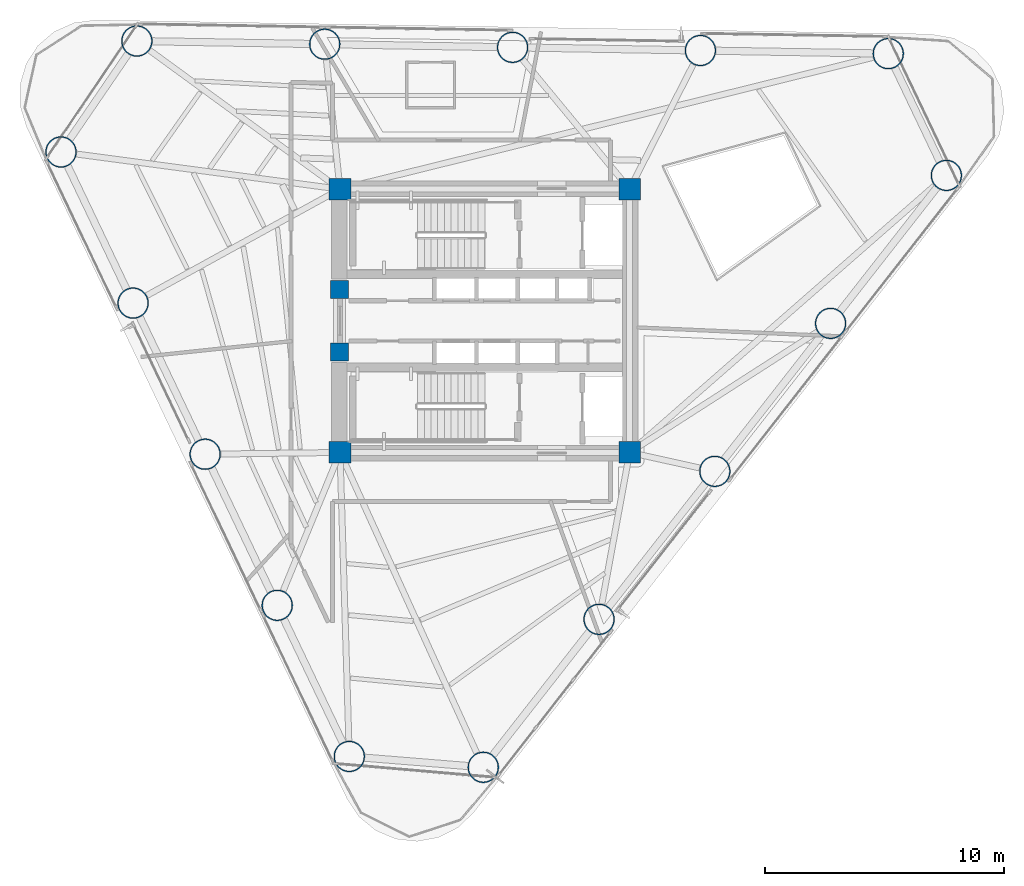
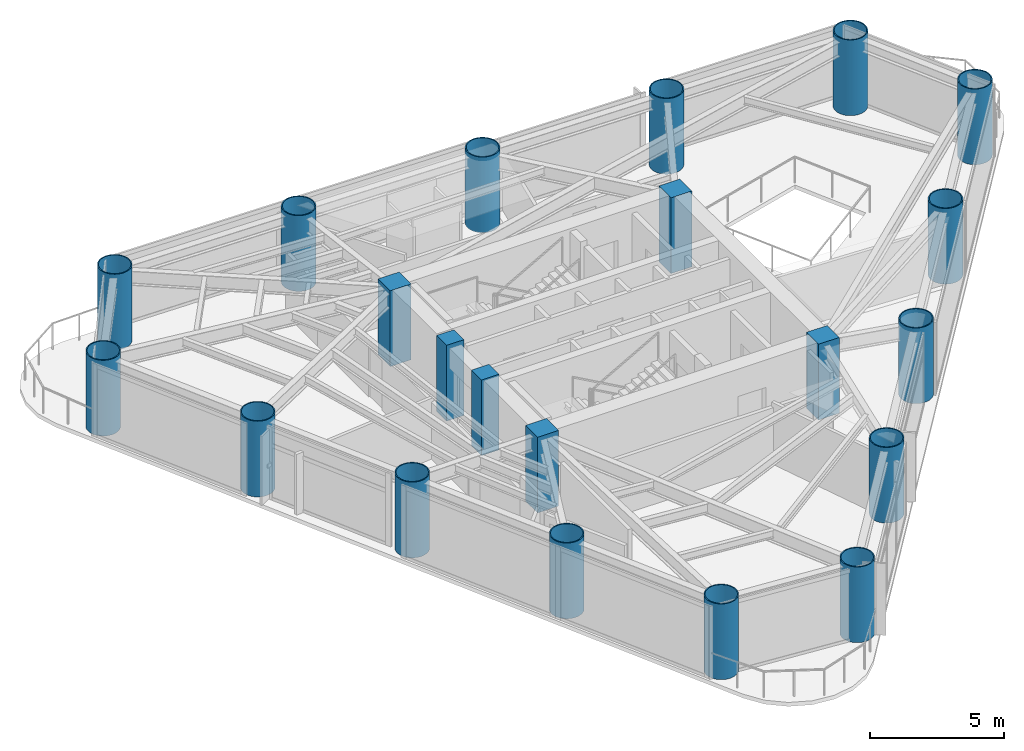
# One storey, part 1 of 10: 21 columns.
"""IFC4 building model written with IfcOpenShell, lengths in metres."""

from ifc_helpers import new_model, si_unit, direction, frame, origin, origin_2d, place, context, subcontext, project, spatial, rectangle, hollow_circle, extrude, source, transform, mapped, material, material_profile, profile_set, type_object, element, save


model = new_model("IFC4")

# Units and contexts
model_context = context("Model", 3, precision=1e-05, world=origin(), true_north=direction((0.0, 1.0)))
body_context = subcontext(model_context, "Body", "Model", "MODEL_VIEW")
ifc_project = project(units=[si_unit("LENGTHUNIT", "METRE"), si_unit("AREAUNIT", "SQUARE_METRE"), si_unit("VOLUMEUNIT", "CUBIC_METRE"), si_unit("PLANEANGLEUNIT", "RADIAN"), si_unit("MASSUNIT", "GRAM", prefix="KILO")], contexts=[model_context])

# Site, building, storey
site_placement = place(None, origin())
site = spatial("IfcSite", under=ifc_project, at=site_placement, CompositionType="ELEMENT")
building_placement = place(site_placement, origin())
building = spatial("IfcBuilding", under=site, at=building_placement, Name="Yunling Apex Tower", CompositionType="ELEMENT")
storey_placement = place(building_placement, frame((0.0, 0.0, 129.5)))
storey = spatial("IfcBuildingStorey", under=building, at=storey_placement, Name="L31", CompositionType="ELEMENT", Elevation=129.5)

# Columns
ifc_material_1 = material(Name="Concrete C60", Category="concrete")
ifc_material_profile_1 = material_profile(ifc_material_1, rectangle(XDim=0.89990234375, YDim=0.89990234375, at=origin_2d()))
ifc_profile_set_1 = profile_set([ifc_material_profile_1], Name="Concrete C60")
column_type_1 = type_object("IfcColumnType", Name="PC-SRC-3", PredefinedType="COLUMN", material=ifc_profile_set_1)
shared_shape_1 = source(origin(), body_context, "Body", "SweptSolid", [
    extrude(rectangle(XDim=0.89990234375, YDim=0.89990234375, at=origin_2d()), origin(), (0.0, 0.0, 1.0), 3.449951171875),
])
for number, where, z_axis, x_axis, name in (
    (1, (-6.050048828125, -5.5, 0.0), (0.0, 0.0, 1.0), (1.0, 0.0, 0.0), "L31 Core Spine Column CC-SW"),
    (2, (6.050048828125, -5.5, 0.0), (0.0, 0.0, 1.0), (1.0, 0.0, 0.0), "L31 Core Spine Column CC-SE"),
    (3, (6.050048828125, 5.5, 0.0), (0.0, 0.0, 1.0), (1.0, 0.0, 0.0), "L31 Core Spine Column CC-NE"),
    (4, (-6.050048828125, 5.5, 0.0), (0.0, 0.0, 1.0), (1.0, 0.0, 0.0), "L31 Core Spine Column CC-NW"),
):
    element("IfcColumn", number, at=place(storey_placement, frame(where, z_axis=z_axis, x_axis=x_axis)), inside=storey, type_object=column_type_1, Name=name, PredefinedType="COLUMN", context=body_context, shape_type="MappedRepresentation", body=[
        mapped(shared_shape_1, transform((0.0, 0.0, 0.0), scale=1.0)),
    ])
ifc_material_2 = material(Name="Concrete C50", Category="concrete")
ifc_material_profile_2 = material_profile(ifc_material_2, rectangle(XDim=0.75, YDim=0.75, at=origin_2d()))
ifc_profile_set_2 = profile_set([ifc_material_profile_2], Name="Concrete C50")
column_type_2 = type_object("IfcColumnType", Name="PC-SRC-4", PredefinedType="COLUMN", material=ifc_profile_set_2)
shared_shape_2 = source(origin(), body_context, "Body", "SweptSolid", [
    extrude(rectangle(XDim=0.75, YDim=0.75, at=origin_2d()), origin(), (0.0, 0.0, 1.0), 3.449951171875),
])
for number, where, z_axis, x_axis, name in (
    (5, (-6.074951171875, -1.300048828125, 0.0), (0.0, 0.0, 1.0), (1.0, 0.0, 0.0), "L31 Core West Portal Jamb Column S"),
    (6, (-6.074951171875, 1.300048828125, 0.0), (0.0, 0.0, 1.0), (1.0, 0.0, 0.0), "L31 Core West Portal Jamb Column N"),
):
    element("IfcColumn", number, at=place(storey_placement, frame(where, z_axis=z_axis, x_axis=x_axis)), inside=storey, type_object=column_type_2, Name=name, PredefinedType="COLUMN", context=body_context, shape_type="MappedRepresentation", body=[
        mapped(shared_shape_2, transform((0.0, 0.0, 0.0), scale=1.0)),
    ])
ifc_material_3 = material(Name="Steel Q390GJC", Category="steel")
ifc_material_profile_3 = material_profile(ifc_material_3, hollow_circle(Radius=0.64990234375, WallThickness=0.044921875, at=origin_2d()))
ifc_profile_set_3 = profile_set([ifc_material_profile_3], Name="Steel Q390GJC")
column_type_3 = type_object("IfcColumnType", Name="MC-CFST-3", PredefinedType="COLUMN", material=ifc_profile_set_3)
shared_shape_3 = source(origin(), body_context, "Body", "SweptSolid", [
    extrude(hollow_circle(Radius=0.64990234375, WallThickness=0.044921875, at=origin_2d()), origin(), (0.0, 0.0, 1.0), 3.449951171875),
])
for number, where, z_axis, x_axis, name in (
    (7, (-0.06396484375, -18.654541015625, 0.0), (0.0, 0.0, 1.0), (1.0, 0.0, 0.0), "L31 Perimeter CFST Mega-Column P01"),
    (8, (4.773193359375, -12.471923828125, 0.0), (0.0, 0.0, 1.0), (1.0, 0.0, 0.0), "L31 Perimeter CFST Mega-Column P02"),
    (9, (9.610595703125, -6.289306640625, 0.0), (0.0, 0.0, 1.0), (1.0, 0.0, 0.0), "L31 Perimeter CFST Mega-Column P03"),
    (10, (14.447998046875, -0.106689453125, 0.0), (0.0, 0.0, 1.0), (1.0, 0.0, 0.0), "L31 Perimeter CFST Mega-Column P04"),
    (11, (19.28515625, 6.075927734375, 0.0), (0.0, 0.0, 1.0), (1.0, 0.0, 0.0), "L31 Perimeter CFST Mega-Column P05"),
    (12, (16.8583984375, 11.163818359375, 0.0), (0.0, 0.0, 1.0), (1.0, 0.0, 0.0), "L31 Perimeter CFST Mega-Column P06"),
    (13, (9.009521484375, 11.295166015625, 0.0), (0.0, 0.0, 1.0), (1.0, 0.0, 0.0), "L31 Perimeter CFST Mega-Column P07"),
    (14, (1.160400390625, 11.4267578125, 0.0), (0.0, 0.0, 1.0), (1.0, 0.0, 0.0), "L31 Perimeter CFST Mega-Column P08"),
    (15, (-6.6884765625, 11.558349609375, 0.0), (0.0, 0.0, 1.0), (1.0, 0.0, 0.0), "L31 Perimeter CFST Mega-Column P09"),
    (16, (-14.53759765625, 11.68994140625, 0.0), (0.0, 0.0, 1.0), (1.0, 0.0, 0.0), "L31 Perimeter CFST Mega-Column P10"),
    (17, (-17.70849609375, 7.0546875, 0.0), (0.0, 0.0, 1.0), (1.0, 0.0, 0.0), "L31 Perimeter CFST Mega-Column P11"),
    (18, (-14.69677734375, 0.740478515625, 0.0), (0.0, 0.0, 1.0), (1.0, 0.0, 0.0), "L31 Perimeter CFST Mega-Column P12"),
    (19, (-11.685302734375, -5.573486328125, 0.0), (0.0, 0.0, 1.0), (1.0, 0.0, 0.0), "L31 Perimeter CFST Mega-Column P13"),
    (20, (-8.673583984375, -11.8876953125, 0.0), (0.0, 0.0, 1.0), (1.0, 0.0, 0.0), "L31 Perimeter CFST Mega-Column P14"),
    (21, (-5.661865234375, -18.201904296875, 0.0), (0.0, 0.0, 1.0), (1.0, 0.0, 0.0), "L31 Perimeter CFST Mega-Column P15"),
):
    element("IfcColumn", number, at=place(storey_placement, frame(where, z_axis=z_axis, x_axis=x_axis)), inside=storey, type_object=column_type_3, Name=name, PredefinedType="COLUMN", context=body_context, shape_type="MappedRepresentation", body=[
        mapped(shared_shape_3, transform((0.0, 0.0, 0.0), scale=1.0)),
    ])

save(model, "model.ifc")
